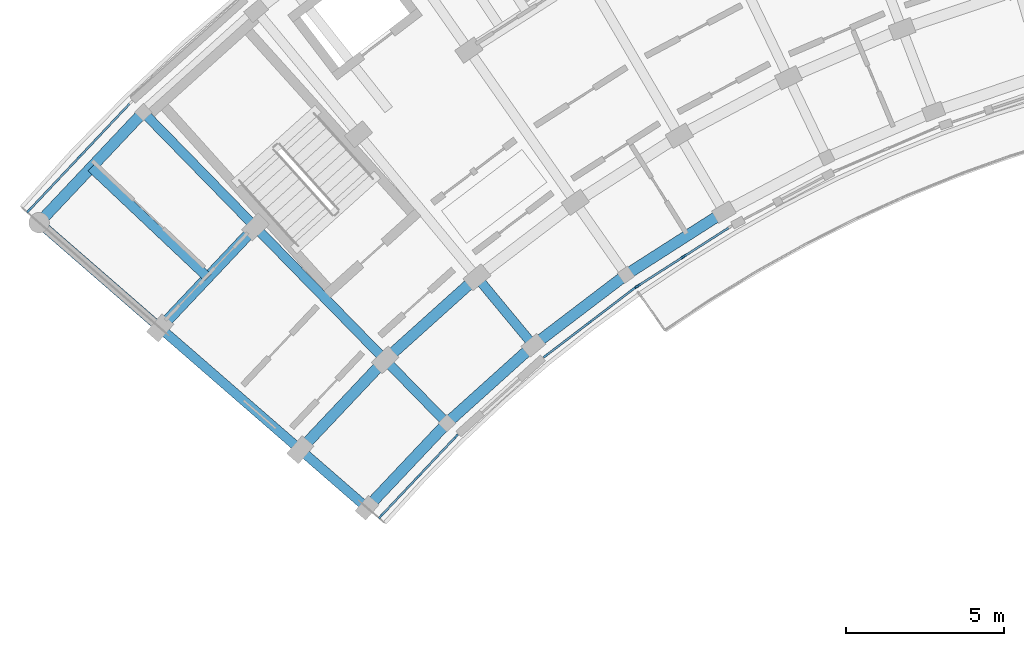
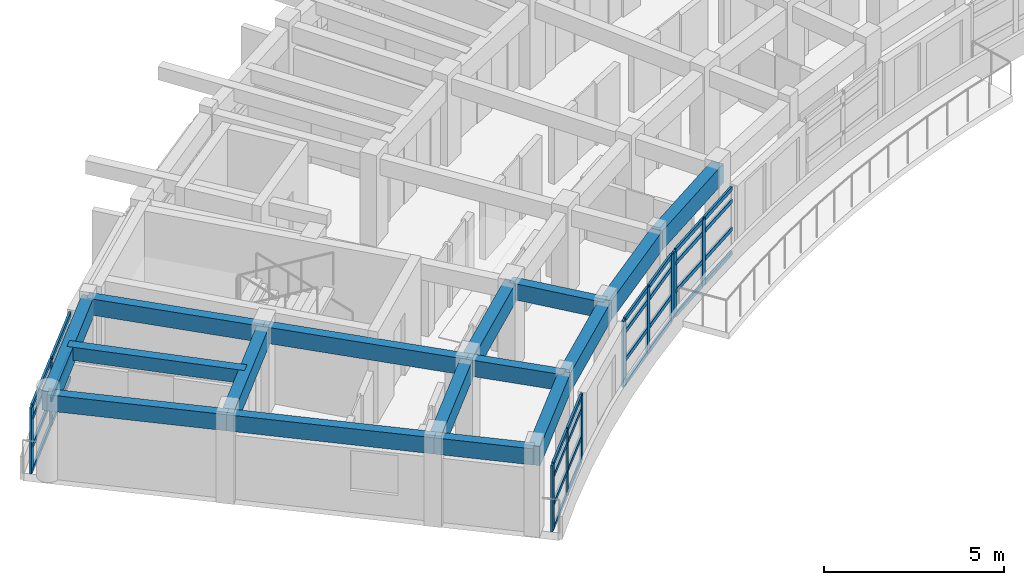
# One storey, part 2 of 38: 42 members, 16 beams, 4 elements without a shape of their own.
"""IFC4 building model written with IfcOpenShell, lengths in metres."""

from ifc_helpers import new_model, si_unit, direction, frame, origin, origin_2d, place, context, subcontext, project, spatial, rectangle, extrude, material, material_profile, profile_set, type_object, element, aggregate, save


model = new_model("IFC4")

# Units and contexts
model_context = context("Model", 3, precision=1e-05, world=origin(), true_north=direction((0.0, 1.0)))
body_context = subcontext(model_context, "Body", "Model", "MODEL_VIEW")
ifc_project = project(units=[si_unit("LENGTHUNIT", "METRE"), si_unit("AREAUNIT", "SQUARE_METRE"), si_unit("VOLUMEUNIT", "CUBIC_METRE"), si_unit("PLANEANGLEUNIT", "RADIAN"), si_unit("MASSUNIT", "GRAM", prefix="KILO")], contexts=[model_context])

# Site, building, storey
site_placement = place(None, origin())
site = spatial("IfcSite", under=ifc_project, at=site_placement, CompositionType="ELEMENT")
building_placement = place(site_placement, origin())
building = spatial("IfcBuilding", under=site, at=building_placement, Name="Zimvara Arc Housing Community", CompositionType="ELEMENT")
storey_placement = place(building_placement, frame((0.0, 0.0, 29.800048828125)))
storey = spatial("IfcBuildingStorey", under=building, at=storey_placement, Name="L09", CompositionType="ELEMENT", Elevation=29.800048828125)

# Beams
ifc_material_1 = material(Name="Concrete C40/50", Category="concrete")
ifc_material_profile_1 = material_profile(ifc_material_1, rectangle(XDim=0.300048828125, YDim=0.449951171875, at=origin_2d()), Name="RC 300x450")
ifc_profile_set_1 = profile_set([ifc_material_profile_1], Name="Concrete C40/50")
beam_type_1 = type_object("IfcBeamType", Name="BM-RC-300x450", PredefinedType="JOIST", material=ifc_profile_set_1)
beam_1_placement = place(storey_placement, frame((5.904296875, 81.3935546875, 2.635009765625), z_axis=(-0.727299876429, 0.686319815936, 0.0), x_axis=(-0.686319815936, -0.727299876429, 0.0)))
element("IfcBeam", 1, at=beam_1_placement, inside=storey, type_object=beam_type_1, Name="bm:blkA:L09:joist:b0", PredefinedType="JOIST", context=body_context, shape_type="SweptSolid", body=[
    extrude(rectangle(XDim=0.300048828125, YDim=0.449951171875, at=origin_2d()), origin(), (0.0, 0.0, 1.0), 5.075927734375),
])
ifc_material_2 = material(Name="Concrete C40/50", Category="concrete")
ifc_material_profile_2 = material_profile(ifc_material_2, rectangle(XDim=0.300048828125, YDim=0.550048828125, at=origin_2d()), Name="RC 300x550")
ifc_profile_set_2 = profile_set([ifc_material_profile_2], Name="Concrete C40/50")
beam_type_2 = type_object("IfcBeamType", Name="BM-RC-300x550", PredefinedType="BEAM", material=ifc_profile_set_2)
beam_2_placement = place(storey_placement, frame((10.947509765625, 74.101318359375, 2.5849609375), z_axis=(-0.754733151583, 0.656031912259, 0.0), x_axis=(-0.656031912259, -0.754733151583, 0.0)))
element("IfcBeam", 2, at=beam_2_placement, inside=storey, type_object=beam_type_2, Name="bm:blkA:L09:rad:b0:r01", PredefinedType="BEAM", context=body_context, shape_type="SweptSolid", body=[
    extrude(rectangle(XDim=0.300048828125, YDim=0.550048828125, at=origin_2d()), origin(), (0.0, 0.0, 1.0), 2.800048828125),
])
beam_3_placement = place(storey_placement, frame((8.834228515625, 75.938232421875, 2.5849609375), z_axis=(-0.754692223258, 0.656078995362, 0.0), x_axis=(-0.656078995362, -0.754692223258, 0.0)))
element("IfcBeam", 3, at=beam_3_placement, inside=storey, type_object=beam_type_2, Name="bm:blkA:L09:rad:b0:r12", PredefinedType="BEAM", context=body_context, shape_type="SweptSolid", body=[
    extrude(rectangle(XDim=0.300048828125, YDim=0.550048828125, at=origin_2d()), origin(), (0.0, 0.0, 1.0), 5.8798828125),
])
beam_4_placement = place(storey_placement, frame((4.396728515625, 79.7958984375, 2.5849609375), z_axis=(-0.754716217499, 0.656051393599, 0.0), x_axis=(-0.656051393599, -0.754716217499, 0.0)))
element("IfcBeam", 4, at=beam_4_placement, inside=storey, type_object=beam_type_2, Name="bm:blkA:L09:rad:b0:r23", PredefinedType="BEAM", context=body_context, shape_type="SweptSolid", body=[
    extrude(rectangle(XDim=0.300048828125, YDim=0.550048828125, at=origin_2d()), origin(), (0.0, 0.0, 1.0), 5.080078125),
])
beam_5_placement = place(storey_placement, frame((13.476318359375, 76.781005859375, 2.5849609375), z_axis=(-0.698643013894, 0.71547043205, 0.0), x_axis=(-0.71547043205, -0.698643013894, 0.0)))
element("IfcBeam", 5, at=beam_5_placement, inside=storey, type_object=beam_type_2, Name="bm:blkA:L09:rad:b1:r01", PredefinedType="BEAM", context=body_context, shape_type="SweptSolid", body=[
    extrude(rectangle(XDim=0.300048828125, YDim=0.550048828125, at=origin_2d()), origin(), (0.0, 0.0, 1.0), 2.800048828125),
])
beam_6_placement = place(storey_placement, frame((11.52001953125, 78.784423828125, 2.5849609375), z_axis=(-0.698669844288, 0.715444231707, 0.0), x_axis=(-0.715444231707, -0.698669844288, 0.0)))
element("IfcBeam", 6, at=beam_6_placement, inside=storey, type_object=beam_type_2, Name="bm:blkA:L09:rad:b1:r12", PredefinedType="BEAM", context=body_context, shape_type="SweptSolid", body=[
    extrude(rectangle(XDim=0.300048828125, YDim=0.550048828125, at=origin_2d()), origin(), (0.0, 0.0, 1.0), 5.8798828125),
])
beam_7_placement = place(storey_placement, frame((7.411865234375, 82.9912109375, 2.5849609375), z_axis=(-0.698670885014, 0.71544321538, 0.0), x_axis=(-0.71544321538, -0.698670885014, 0.0)))
element("IfcBeam", 7, at=beam_7_placement, inside=storey, type_object=beam_type_2, Name="bm:blkA:L09:rad:b1:r23", PredefinedType="BEAM", context=body_context, shape_type="SweptSolid", body=[
    extrude(rectangle(XDim=0.300048828125, YDim=0.550048828125, at=origin_2d()), origin(), (0.0, 0.0, 1.0), 5.080078125),
])
beam_8_placement = place(storey_placement, frame((16.215087890625, 79.245361328125, 2.5849609375), z_axis=(-0.637917412223, 0.770104781951, 0.0), x_axis=(-0.770104781951, -0.637917412223, 0.0)))
element("IfcBeam", 8, at=beam_8_placement, inside=storey, type_object=beam_type_2, Name="bm:blkA:L09:rad:b2:r01", PredefinedType="BEAM", context=body_context, shape_type="SweptSolid", body=[
    extrude(rectangle(XDim=0.300048828125, YDim=0.550048828125, at=origin_2d()), origin(), (0.0, 0.0, 1.0), 2.800048828125),
])
ifc_material_3 = material(Name="Concrete C40/50", Category="concrete")
ifc_material_profile_3 = material_profile(ifc_material_3, rectangle(XDim=0.35009765625, YDim=0.64990234375, at=origin_2d()), Name="RC 350x650")
ifc_profile_set_3 = profile_set([ifc_material_profile_3], Name="Concrete C40/50")
beam_type_3 = type_object("IfcBeamType", Name="BM-RC-350x650", PredefinedType="BEAM", material=ifc_profile_set_3)
beam_9_placement = place(storey_placement, frame((10.947509765625, 74.101318359375, 2.534912109375), z_axis=(0.686335517678, 0.727285059088, 0.0), x_axis=(-0.727285059088, 0.686335517678, 0.0)))
element("IfcBeam", 9, at=beam_9_placement, inside=storey, type_object=beam_type_3, Name="bm:blkA:L09:chord:r0:b0", PredefinedType="BEAM", context=body_context, shape_type="SweptSolid", body=[
    extrude(rectangle(XDim=0.35009765625, YDim=0.64990234375, at=origin_2d()), origin(), (0.0, 0.0, 1.0), 3.6845703125),
])
beam_10_placement = place(storey_placement, frame((13.476318359375, 76.781005859375, 2.534912109375), z_axis=(0.743366631239, 0.668884183966, 0.0), x_axis=(-0.668884183966, 0.743366631239, 0.0)))
element("IfcBeam", 10, at=beam_10_placement, inside=storey, type_object=beam_type_3, Name="bm:blkA:L09:chord:r0:b1", PredefinedType="BEAM", context=body_context, shape_type="SweptSolid", body=[
    extrude(rectangle(XDim=0.35009765625, YDim=0.64990234375, at=origin_2d()), origin(), (0.0, 0.0, 1.0), 3.684326171875),
])
beam_11_placement = place(storey_placement, frame((16.215087890625, 79.245361328125, 2.534912109375), z_axis=(0.795453014049, 0.606015265847, 0.0), x_axis=(-0.606015265847, 0.795453014049, 0.0)))
element("IfcBeam", 11, at=beam_11_placement, inside=storey, type_object=beam_type_3, Name="bm:blkA:L09:chord:r0:b2", PredefinedType="BEAM", context=body_context, shape_type="SweptSolid", body=[
    extrude(rectangle(XDim=0.35009765625, YDim=0.64990234375, at=origin_2d()), origin(), (0.0, 0.0, 1.0), 3.6845703125),
])
beam_12_placement = place(storey_placement, frame((19.14599609375, 81.478271484375, 2.534912109375), z_axis=(0.842272604079, 0.539051816079, 0.0), x_axis=(-0.539051816079, 0.842272604079, 0.0)))
element("IfcBeam", 12, at=beam_12_placement, inside=storey, type_object=beam_type_3, Name="bm:blkA:L09:chord:r0:b3", PredefinedType="BEAM", context=body_context, shape_type="SweptSolid", body=[
    extrude(rectangle(XDim=0.35009765625, YDim=0.64990234375, at=origin_2d()), origin(), (0.0, 0.0, 1.0), 3.684326171875),
])
beam_13_placement = place(storey_placement, frame((8.834228515625, 75.938232421875, 2.534912109375), z_axis=(0.686315710793, 0.727303750243, 0.0), x_axis=(-0.727303750243, 0.686315710793, 0.0)))
element("IfcBeam", 13, at=beam_13_placement, inside=storey, type_object=beam_type_3, Name="bm:blkA:L09:chord:r1:b0", PredefinedType="BEAM", context=body_context, shape_type="SweptSolid", body=[
    extrude(rectangle(XDim=0.35009765625, YDim=0.64990234375, at=origin_2d()), origin(), (0.0, 0.0, 1.0), 3.913330078125),
])
beam_14_placement = place(storey_placement, frame((11.52001953125, 78.784423828125, 2.534912109375), z_axis=(0.743402719516, 0.668844074965, 0.0), x_axis=(-0.668844074965, 0.743402719516, 0.0)))
element("IfcBeam", 14, at=beam_14_placement, inside=storey, type_object=beam_type_3, Name="bm:blkA:L09:chord:r1:b1", PredefinedType="BEAM", context=body_context, shape_type="SweptSolid", body=[
    extrude(rectangle(XDim=0.35009765625, YDim=0.64990234375, at=origin_2d()), origin(), (0.0, 0.0, 1.0), 3.9130859375),
])
beam_15_placement = place(storey_placement, frame((4.396728515625, 79.7958984375, 2.534912109375), z_axis=(0.686303637813, 0.727315142648, 0.0), x_axis=(-0.727315142648, 0.686303637813, 0.0)))
element("IfcBeam", 15, at=beam_15_placement, inside=storey, type_object=beam_type_3, Name="bm:blkA:L09:chord:r2:b0", PredefinedType="BEAM", context=body_context, shape_type="SweptSolid", body=[
    extrude(rectangle(XDim=0.35009765625, YDim=0.64990234375, at=origin_2d()), origin(), (0.0, 0.0, 1.0), 4.393310546875),
])
beam_16_placement = place(storey_placement, frame((0.562744140625, 83.128662109375, 2.534912109375), z_axis=(0.6862954451, 0.727322873307, 0.0), x_axis=(-0.727322873307, 0.6862954451, 0.0)))
element("IfcBeam", 16, at=beam_16_placement, inside=storey, type_object=beam_type_3, Name="bm:blkA:L09:chord:r3:b0", PredefinedType="BEAM", context=body_context, shape_type="SweptSolid", body=[
    extrude(rectangle(XDim=0.35009765625, YDim=0.64990234375, at=origin_2d()), origin(), (0.0, 0.0, 1.0), 4.80810546875),
])

# Curtain wall, members
ifc_material_4 = material(Name="Anodised Aluminium AW-6063", Category="aluminium")
curtain_wall_type_1 = type_object("IfcCurtainWallType", Name="CW-SYS-04", PredefinedType="USERDEFINED", material=ifc_material_4)
curtain_wall_1_placement = place(storey_placement, origin())
curtain_wall_1 = element("IfcCurtainWall", 17, at=curtain_wall_1_placement, inside=storey, type_object=curtain_wall_type_1, Name="cw:blkA:L09:in:b0", ObjectType="CURTAIN WALL", PredefinedType="USERDEFINED")
ifc_material_5 = material(Name="Anodised Aluminium AW-6063", Category="aluminium")
ifc_material_profile_4 = material_profile(ifc_material_5, rectangle(XDim=0.06494140625, YDim=0.179931640625, at=origin_2d()), Name="ALU 65x180")
ifc_profile_set_4 = profile_set([ifc_material_profile_4], Name="Anodised Aluminium AW-6063")
member_type_1 = type_object("IfcMemberType", Name="CWM-65x150", PredefinedType="MULLION", material=ifc_profile_set_4)
member_1_placement = place(storey_placement, frame((11.388427734375, 73.840576171875, 0.0), z_axis=(0.0, 0.0, 1.0), x_axis=(-0.727293280483, 0.686326805658, 0.0)))
member_1 = element("IfcMember", 18, at=member_1_placement, type_object=member_type_1, Name="CW04 mullion 1", PredefinedType="MULLION", context=body_context, shape_type="SweptSolid", body=[
    extrude(rectangle(XDim=0.06494140625, YDim=0.179931640625, at=origin_2d()), origin(), (0.0, 0.0, 1.0), 2.25),
])
member_2_placement = place(storey_placement, frame((12.5751953125, 75.098388671875, 0.0), z_axis=(0.0, 0.0, 1.0), x_axis=(-0.727293280483, 0.686326805658, 0.0)))
member_2 = element("IfcMember", 19, at=member_2_placement, type_object=member_type_1, Name="CW04 mullion 2", PredefinedType="MULLION", context=body_context, shape_type="SweptSolid", body=[
    extrude(rectangle(XDim=0.06494140625, YDim=0.179931640625, at=origin_2d()), origin(), (0.0, 0.0, 1.0), 2.25),
])
member_3_placement = place(storey_placement, frame((13.761962890625, 76.35595703125, 0.0), z_axis=(0.0, 0.0, 1.0), x_axis=(-0.727293280483, 0.686326805658, 0.0)))
member_3 = element("IfcMember", 20, at=member_3_placement, type_object=member_type_1, Name="CW04 mullion 3", PredefinedType="MULLION", context=body_context, shape_type="SweptSolid", body=[
    extrude(rectangle(XDim=0.06494140625, YDim=0.179931640625, at=origin_2d()), origin(), (0.0, 0.0, 1.0), 2.25),
])

ifc_material_6 = material(Name="Anodised Aluminium AW-6063", Category="aluminium")
curtain_wall_type_2 = type_object("IfcCurtainWallType", Name="CW-SYS-06", PredefinedType="USERDEFINED", material=ifc_material_6)
curtain_wall_2_placement = place(storey_placement, origin())
curtain_wall_2 = element("IfcCurtainWall", 21, at=curtain_wall_2_placement, inside=storey, type_object=curtain_wall_type_2, Name="cw:blkA:L09:in:b2", ObjectType="CURTAIN WALL", PredefinedType="USERDEFINED")
member_4_placement = place(storey_placement, frame((16.607666015625, 78.91650390625, 0.0), z_axis=(0.0, 0.0, 1.0), x_axis=(-0.605988318533, 0.795473543119, 0.0)))
member_4 = element("IfcMember", 22, at=member_4_placement, type_object=member_type_1, Name="CW06 mullion 1", PredefinedType="MULLION", context=body_context, shape_type="SweptSolid", body=[
    extrude(rectangle(XDim=0.06494140625, YDim=0.179931640625, at=origin_2d()), origin(), (0.0, 0.0, 1.0), 2.25),
])
member_5_placement = place(storey_placement, frame((17.9833984375, 79.96435546875, 0.0), z_axis=(0.0, 0.0, 1.0), x_axis=(-0.605988318533, 0.795473543119, 0.0)))
member_5 = element("IfcMember", 23, at=member_5_placement, type_object=member_type_1, Name="CW06 mullion 2", PredefinedType="MULLION", context=body_context, shape_type="SweptSolid", body=[
    extrude(rectangle(XDim=0.06494140625, YDim=0.179931640625, at=origin_2d()), origin(), (0.0, 0.0, 1.0), 2.25),
])
member_6_placement = place(storey_placement, frame((19.35888671875, 81.012451171875, 0.0), z_axis=(0.0, 0.0, 1.0), x_axis=(-0.605988318533, 0.795473543119, 0.0)))
member_6 = element("IfcMember", 24, at=member_6_placement, type_object=member_type_1, Name="CW06 mullion 3", PredefinedType="MULLION", context=body_context, shape_type="SweptSolid", body=[
    extrude(rectangle(XDim=0.06494140625, YDim=0.179931640625, at=origin_2d()), origin(), (0.0, 0.0, 1.0), 2.25),
])

ifc_material_7 = material(Name="Anodised Aluminium AW-6063", Category="aluminium")
curtain_wall_type_3 = type_object("IfcCurtainWallType", Name="CW-SYS-08", PredefinedType="USERDEFINED", material=ifc_material_7)
curtain_wall_3_placement = place(storey_placement, origin())
curtain_wall_3 = element("IfcCurtainWall", 25, at=curtain_wall_3_placement, inside=storey, type_object=curtain_wall_type_3, Name="cw:blkA:L09:in:b3", ObjectType="CURTAIN WALL", PredefinedType="USERDEFINED")
member_7_placement = place(storey_placement, frame((19.510498046875, 81.118408203125, 0.0), z_axis=(0.0, 0.0, 1.0), x_axis=(-0.539064085203, 0.842264751752, 0.0)))
member_7 = element("IfcMember", 26, at=member_7_placement, type_object=member_type_1, Name="CW08 mullion 1", PredefinedType="MULLION", context=body_context, shape_type="SweptSolid", body=[
    extrude(rectangle(XDim=0.06494140625, YDim=0.179931640625, at=origin_2d()), origin(), (0.0, 0.0, 1.0), 2.25),
])
member_8_placement = place(storey_placement, frame((20.967041015625, 82.050537109375, 0.0), z_axis=(0.0, 0.0, 1.0), x_axis=(-0.539064085203, 0.842264751752, 0.0)))
member_8 = element("IfcMember", 27, at=member_8_placement, type_object=member_type_1, Name="CW08 mullion 2", PredefinedType="MULLION", context=body_context, shape_type="SweptSolid", body=[
    extrude(rectangle(XDim=0.06494140625, YDim=0.179931640625, at=origin_2d()), origin(), (0.0, 0.0, 1.0), 2.25),
])

ifc_material_8 = material(Name="Anodised Aluminium AW-6063", Category="aluminium")
curtain_wall_type_4 = type_object("IfcCurtainWallType", Name="CW-SYS-03", PredefinedType="USERDEFINED", material=ifc_material_8)
curtain_wall_4_placement = place(storey_placement, origin())
curtain_wall_4 = element("IfcCurtainWall", 28, at=curtain_wall_4_placement, inside=storey, type_object=curtain_wall_type_4, Name="cw:blkA:L09:out:b0", ObjectType="CURTAIN WALL", PredefinedType="USERDEFINED")
ifc_material_9 = material(Name="Anodised Aluminium AW-6063", Category="aluminium")
ifc_material_profile_5 = material_profile(ifc_material_9, rectangle(XDim=0.06494140625, YDim=0.195068359375, at=origin_2d()), Name="ALU 65x195")
ifc_profile_set_5 = profile_set([ifc_material_profile_5], Name="Anodised Aluminium AW-6063")
member_type_2 = type_object("IfcMemberType", Name="CWM-65x180", PredefinedType="MULLION", material=ifc_profile_set_5)
member_9_placement = place(storey_placement, frame((0.248779296875, 83.524169921875, 0.0), z_axis=(0.0, 0.0, 1.0), x_axis=(-0.727293647725, 0.686326416495, 0.0)))
member_9 = element("IfcMember", 29, at=member_9_placement, type_object=member_type_2, Name="CW03 mullion 1", PredefinedType="MULLION", context=body_context, shape_type="SweptSolid", body=[
    extrude(rectangle(XDim=0.06494140625, YDim=0.195068359375, at=origin_2d()), origin(), (0.0, 0.0, 1.0), 2.25),
])
member_10_placement = place(storey_placement, frame((1.849365234375, 85.219970703125, 0.0), z_axis=(0.0, 0.0, 1.0), x_axis=(-0.727293647725, 0.686326416495, 0.0)))
member_10 = element("IfcMember", 30, at=member_10_placement, type_object=member_type_2, Name="CW03 mullion 2", PredefinedType="MULLION", context=body_context, shape_type="SweptSolid", body=[
    extrude(rectangle(XDim=0.06494140625, YDim=0.195068359375, at=origin_2d()), origin(), (0.0, 0.0, 1.0), 2.25),
])

# Member
ifc_material_10 = material(Name="Anodised Aluminium AW-6063", Category="aluminium")
ifc_material_profile_6 = material_profile(ifc_material_10, rectangle(XDim=0.06494140625, YDim=0.139892578125, at=origin_2d()), Name="ALU 65x140")
ifc_profile_set_6 = profile_set([ifc_material_profile_6], Name="Anodised Aluminium AW-6063")
member_type_3 = type_object("IfcMemberType", Name="CWT-65x120", PredefinedType="USERDEFINED", material=ifc_profile_set_6)
member_11_placement = place(storey_placement, frame((11.41064453125, 73.8642578125, 0.032470703125), z_axis=(0.686347817597, 0.727273451516, 0.0), x_axis=(-0.727273451516, 0.686347817597, 0.0)))
member_11 = element("IfcMember", 31, at=member_11_placement, type_object=member_type_3, Name="CW04 transom 1.1", ObjectType="TRANSOM", PredefinedType="USERDEFINED", context=body_context, shape_type="SweptSolid", body=[
    extrude(rectangle(XDim=0.06494140625, YDim=0.139892578125, at=origin_2d()), origin(), (0.0, 0.0, 1.0), 1.664306640625),
])

member_12_placement = place(storey_placement, frame((11.41064453125, 73.8642578125, 0.849853515625), z_axis=(0.686347817597, 0.727273451516, 0.0), x_axis=(-0.727273451516, 0.686347817597, 0.0)))
member_12 = element("IfcMember", 32, at=member_12_placement, type_object=member_type_3, Name="CW04 transom 1.2", ObjectType="TRANSOM", PredefinedType="USERDEFINED", context=body_context, shape_type="SweptSolid", body=[
    extrude(rectangle(XDim=0.06494140625, YDim=0.139892578125, at=origin_2d()), origin(), (0.0, 0.0, 1.0), 1.664306640625),
])

member_13_placement = place(storey_placement, frame((11.41064453125, 73.8642578125, 1.800048828125), z_axis=(0.686347817597, 0.727273451516, 0.0), x_axis=(-0.727273451516, 0.686347817597, 0.0)))
member_13 = element("IfcMember", 33, at=member_13_placement, type_object=member_type_3, Name="CW04 transom 1.3", ObjectType="TRANSOM", PredefinedType="USERDEFINED", context=body_context, shape_type="SweptSolid", body=[
    extrude(rectangle(XDim=0.06494140625, YDim=0.139892578125, at=origin_2d()), origin(), (0.0, 0.0, 1.0), 1.664306640625),
])

member_14_placement = place(storey_placement, frame((11.41064453125, 73.8642578125, 2.217529296875), z_axis=(0.686347817597, 0.727273451516, 0.0), x_axis=(-0.727273451516, 0.686347817597, 0.0)))
member_14 = element("IfcMember", 34, at=member_14_placement, type_object=member_type_3, Name="CW04 transom 1.4", ObjectType="TRANSOM", PredefinedType="USERDEFINED", context=body_context, shape_type="SweptSolid", body=[
    extrude(rectangle(XDim=0.06494140625, YDim=0.139892578125, at=origin_2d()), origin(), (0.0, 0.0, 1.0), 1.664306640625),
])

member_15_placement = place(storey_placement, frame((12.597412109375, 75.1220703125, 0.032470703125), z_axis=(0.686347817597, 0.727273451516, 0.0), x_axis=(-0.727273451516, 0.686347817597, 0.0)))
member_15 = element("IfcMember", 35, at=member_15_placement, type_object=member_type_3, Name="CW04 transom 2.1", ObjectType="TRANSOM", PredefinedType="USERDEFINED", context=body_context, shape_type="SweptSolid", body=[
    extrude(rectangle(XDim=0.06494140625, YDim=0.139892578125, at=origin_2d()), origin(), (0.0, 0.0, 1.0), 1.664306640625),
])

member_16_placement = place(storey_placement, frame((12.597412109375, 75.1220703125, 0.849853515625), z_axis=(0.686347817597, 0.727273451516, 0.0), x_axis=(-0.727273451516, 0.686347817597, 0.0)))
member_16 = element("IfcMember", 36, at=member_16_placement, type_object=member_type_3, Name="CW04 transom 2.2", ObjectType="TRANSOM", PredefinedType="USERDEFINED", context=body_context, shape_type="SweptSolid", body=[
    extrude(rectangle(XDim=0.06494140625, YDim=0.139892578125, at=origin_2d()), origin(), (0.0, 0.0, 1.0), 1.664306640625),
])

member_17_placement = place(storey_placement, frame((12.597412109375, 75.1220703125, 1.800048828125), z_axis=(0.686347817597, 0.727273451516, 0.0), x_axis=(-0.727273451516, 0.686347817597, 0.0)))
member_17 = element("IfcMember", 37, at=member_17_placement, type_object=member_type_3, Name="CW04 transom 2.3", ObjectType="TRANSOM", PredefinedType="USERDEFINED", context=body_context, shape_type="SweptSolid", body=[
    extrude(rectangle(XDim=0.06494140625, YDim=0.139892578125, at=origin_2d()), origin(), (0.0, 0.0, 1.0), 1.664306640625),
])

member_18_placement = place(storey_placement, frame((12.597412109375, 75.1220703125, 2.217529296875), z_axis=(0.686347817597, 0.727273451516, 0.0), x_axis=(-0.727273451516, 0.686347817597, 0.0)))
member_18 = element("IfcMember", 38, at=member_18_placement, type_object=member_type_3, Name="CW04 transom 2.4", ObjectType="TRANSOM", PredefinedType="USERDEFINED", context=body_context, shape_type="SweptSolid", body=[
    extrude(rectangle(XDim=0.06494140625, YDim=0.139892578125, at=origin_2d()), origin(), (0.0, 0.0, 1.0), 1.664306640625),
])

aggregate(curtain_wall_1, [member_1, member_2, member_3, member_11, member_12, member_13, member_14, member_15, member_16, member_17, member_18])

member_19_placement = place(storey_placement, frame((16.633544921875, 78.936279296875, 0.032470703125), z_axis=(0.795488960577, 0.605968079687, 0.0), x_axis=(-0.605968079687, 0.795488960577, 0.0)))
member_19 = element("IfcMember", 39, at=member_19_placement, type_object=member_type_3, Name="CW06 transom 1.1", ObjectType="TRANSOM", PredefinedType="USERDEFINED", context=body_context, shape_type="SweptSolid", body=[
    extrude(rectangle(XDim=0.06494140625, YDim=0.139892578125, at=origin_2d()), origin(), (0.0, 0.0, 1.0), 1.664306640625),
])

member_20_placement = place(storey_placement, frame((16.633544921875, 78.936279296875, 0.849853515625), z_axis=(0.795488960577, 0.605968079687, 0.0), x_axis=(-0.605968079687, 0.795488960577, 0.0)))
member_20 = element("IfcMember", 40, at=member_20_placement, type_object=member_type_3, Name="CW06 transom 1.2", ObjectType="TRANSOM", PredefinedType="USERDEFINED", context=body_context, shape_type="SweptSolid", body=[
    extrude(rectangle(XDim=0.06494140625, YDim=0.139892578125, at=origin_2d()), origin(), (0.0, 0.0, 1.0), 1.664306640625),
])

member_21_placement = place(storey_placement, frame((16.633544921875, 78.936279296875, 1.800048828125), z_axis=(0.795488960577, 0.605968079687, 0.0), x_axis=(-0.605968079687, 0.795488960577, 0.0)))
member_21 = element("IfcMember", 41, at=member_21_placement, type_object=member_type_3, Name="CW06 transom 1.3", ObjectType="TRANSOM", PredefinedType="USERDEFINED", context=body_context, shape_type="SweptSolid", body=[
    extrude(rectangle(XDim=0.06494140625, YDim=0.139892578125, at=origin_2d()), origin(), (0.0, 0.0, 1.0), 1.664306640625),
])

member_22_placement = place(storey_placement, frame((16.633544921875, 78.936279296875, 2.217529296875), z_axis=(0.795488960577, 0.605968079687, 0.0), x_axis=(-0.605968079687, 0.795488960577, 0.0)))
member_22 = element("IfcMember", 42, at=member_22_placement, type_object=member_type_3, Name="CW06 transom 1.4", ObjectType="TRANSOM", PredefinedType="USERDEFINED", context=body_context, shape_type="SweptSolid", body=[
    extrude(rectangle(XDim=0.06494140625, YDim=0.139892578125, at=origin_2d()), origin(), (0.0, 0.0, 1.0), 1.664306640625),
])

member_23_placement = place(storey_placement, frame((18.00927734375, 79.984130859375, 0.032470703125), z_axis=(0.795435087713, 0.606038795157, 0.0), x_axis=(-0.606038795157, 0.795435087713, 0.0)))
member_23 = element("IfcMember", 43, at=member_23_placement, type_object=member_type_3, Name="CW06 transom 2.1", ObjectType="TRANSOM", PredefinedType="USERDEFINED", context=body_context, shape_type="SweptSolid", body=[
    extrude(rectangle(XDim=0.06494140625, YDim=0.139892578125, at=origin_2d()), origin(), (0.0, 0.0, 1.0), 1.6640625),
])

member_24_placement = place(storey_placement, frame((18.00927734375, 79.984130859375, 0.849853515625), z_axis=(0.795435087713, 0.606038795157, 0.0), x_axis=(-0.606038795157, 0.795435087713, 0.0)))
member_24 = element("IfcMember", 44, at=member_24_placement, type_object=member_type_3, Name="CW06 transom 2.2", ObjectType="TRANSOM", PredefinedType="USERDEFINED", context=body_context, shape_type="SweptSolid", body=[
    extrude(rectangle(XDim=0.06494140625, YDim=0.139892578125, at=origin_2d()), origin(), (0.0, 0.0, 1.0), 1.6640625),
])

member_25_placement = place(storey_placement, frame((18.00927734375, 79.984130859375, 1.800048828125), z_axis=(0.795435087713, 0.606038795157, 0.0), x_axis=(-0.606038795157, 0.795435087713, 0.0)))
member_25 = element("IfcMember", 45, at=member_25_placement, type_object=member_type_3, Name="CW06 transom 2.3", ObjectType="TRANSOM", PredefinedType="USERDEFINED", context=body_context, shape_type="SweptSolid", body=[
    extrude(rectangle(XDim=0.06494140625, YDim=0.139892578125, at=origin_2d()), origin(), (0.0, 0.0, 1.0), 1.6640625),
])

member_26_placement = place(storey_placement, frame((18.00927734375, 79.984130859375, 2.217529296875), z_axis=(0.795435087713, 0.606038795157, 0.0), x_axis=(-0.606038795157, 0.795435087713, 0.0)))
member_26 = element("IfcMember", 46, at=member_26_placement, type_object=member_type_3, Name="CW06 transom 2.4", ObjectType="TRANSOM", PredefinedType="USERDEFINED", context=body_context, shape_type="SweptSolid", body=[
    extrude(rectangle(XDim=0.06494140625, YDim=0.139892578125, at=origin_2d()), origin(), (0.0, 0.0, 1.0), 1.6640625),
])

aggregate(curtain_wall_2, [member_4, member_5, member_6, member_19, member_20, member_21, member_22, member_23, member_24, member_25, member_26])

member_27_placement = place(storey_placement, frame((19.537841796875, 81.1357421875, 0.032470703125), z_axis=(0.842263408668, 0.539066183709, 0.0), x_axis=(-0.539066183709, 0.842263408668, 0.0)))
member_27 = element("IfcMember", 47, at=member_27_placement, type_object=member_type_3, Name="CW08 transom 1.1", ObjectType="TRANSOM", PredefinedType="USERDEFINED", context=body_context, shape_type="SweptSolid", body=[
    extrude(rectangle(XDim=0.06494140625, YDim=0.139892578125, at=origin_2d()), origin(), (0.0, 0.0, 1.0), 1.664306640625),
])

member_28_placement = place(storey_placement, frame((19.537841796875, 81.1357421875, 0.849853515625), z_axis=(0.842263408668, 0.539066183709, 0.0), x_axis=(-0.539066183709, 0.842263408668, 0.0)))
member_28 = element("IfcMember", 48, at=member_28_placement, type_object=member_type_3, Name="CW08 transom 1.2", ObjectType="TRANSOM", PredefinedType="USERDEFINED", context=body_context, shape_type="SweptSolid", body=[
    extrude(rectangle(XDim=0.06494140625, YDim=0.139892578125, at=origin_2d()), origin(), (0.0, 0.0, 1.0), 1.664306640625),
])

member_29_placement = place(storey_placement, frame((19.537841796875, 81.1357421875, 1.800048828125), z_axis=(0.842263408668, 0.539066183709, 0.0), x_axis=(-0.539066183709, 0.842263408668, 0.0)))
member_29 = element("IfcMember", 49, at=member_29_placement, type_object=member_type_3, Name="CW08 transom 1.3", ObjectType="TRANSOM", PredefinedType="USERDEFINED", context=body_context, shape_type="SweptSolid", body=[
    extrude(rectangle(XDim=0.06494140625, YDim=0.139892578125, at=origin_2d()), origin(), (0.0, 0.0, 1.0), 1.664306640625),
])

member_30_placement = place(storey_placement, frame((19.537841796875, 81.1357421875, 2.217529296875), z_axis=(0.842263408668, 0.539066183709, 0.0), x_axis=(-0.539066183709, 0.842263408668, 0.0)))
member_30 = element("IfcMember", 50, at=member_30_placement, type_object=member_type_3, Name="CW08 transom 1.4", ObjectType="TRANSOM", PredefinedType="USERDEFINED", context=body_context, shape_type="SweptSolid", body=[
    extrude(rectangle(XDim=0.06494140625, YDim=0.139892578125, at=origin_2d()), origin(), (0.0, 0.0, 1.0), 1.664306640625),
])

member_31_placement = place(storey_placement, frame((20.994384765625, 82.068115234375, 0.032470703125), z_axis=(0.842330007588, 0.538962112135, 0.0), x_axis=(-0.538962112135, 0.842330007588, 0.0)))
member_31 = element("IfcMember", 51, at=member_31_placement, type_object=member_type_3, Name="CW08 transom 2.1", ObjectType="TRANSOM", PredefinedType="USERDEFINED", context=body_context, shape_type="SweptSolid", body=[
    extrude(rectangle(XDim=0.06494140625, YDim=0.139892578125, at=origin_2d()), origin(), (0.0, 0.0, 1.0), 1.664306640625),
])

member_32_placement = place(storey_placement, frame((20.994384765625, 82.068115234375, 0.849853515625), z_axis=(0.842330007588, 0.538962112135, 0.0), x_axis=(-0.538962112135, 0.842330007588, 0.0)))
member_32 = element("IfcMember", 52, at=member_32_placement, type_object=member_type_3, Name="CW08 transom 2.2", ObjectType="TRANSOM", PredefinedType="USERDEFINED", context=body_context, shape_type="SweptSolid", body=[
    extrude(rectangle(XDim=0.06494140625, YDim=0.139892578125, at=origin_2d()), origin(), (0.0, 0.0, 1.0), 1.664306640625),
])

member_33_placement = place(storey_placement, frame((20.994384765625, 82.068115234375, 1.800048828125), z_axis=(0.842330007588, 0.538962112135, 0.0), x_axis=(-0.538962112135, 0.842330007588, 0.0)))
member_33 = element("IfcMember", 53, at=member_33_placement, type_object=member_type_3, Name="CW08 transom 2.3", ObjectType="TRANSOM", PredefinedType="USERDEFINED", context=body_context, shape_type="SweptSolid", body=[
    extrude(rectangle(XDim=0.06494140625, YDim=0.139892578125, at=origin_2d()), origin(), (0.0, 0.0, 1.0), 1.664306640625),
])

member_34_placement = place(storey_placement, frame((20.994384765625, 82.068115234375, 2.217529296875), z_axis=(0.842330007588, 0.538962112135, 0.0), x_axis=(-0.538962112135, 0.842330007588, 0.0)))
member_34 = element("IfcMember", 54, at=member_34_placement, type_object=member_type_3, Name="CW08 transom 2.4", ObjectType="TRANSOM", PredefinedType="USERDEFINED", context=body_context, shape_type="SweptSolid", body=[
    extrude(rectangle(XDim=0.06494140625, YDim=0.139892578125, at=origin_2d()), origin(), (0.0, 0.0, 1.0), 1.664306640625),
])

aggregate(curtain_wall_3, [member_7, member_8, member_27, member_28, member_29, member_30, member_31, member_32, member_33, member_34])

ifc_material_11 = material(Name="Anodised Aluminium AW-6063", Category="aluminium")
ifc_material_profile_7 = material_profile(ifc_material_11, rectangle(XDim=0.06494140625, YDim=0.155029296875, at=origin_2d()), Name="ALU 65x155")
ifc_profile_set_7 = profile_set([ifc_material_profile_7], Name="Anodised Aluminium AW-6063")
member_type_4 = type_object("IfcMemberType", Name="CWT-65x140", PredefinedType="USERDEFINED", material=ifc_profile_set_7)
member_35_placement = place(storey_placement, frame((0.271240234375, 83.547607421875, 0.032470703125), z_axis=(0.68623762882, 0.727377423894, 0.0), x_axis=(-0.727377423894, 0.68623762882, 0.0)))
member_35 = element("IfcMember", 55, at=member_35_placement, type_object=member_type_4, Name="CW03 transom 1.1", ObjectType="TRANSOM", PredefinedType="USERDEFINED", context=body_context, shape_type="SweptSolid", body=[
    extrude(rectangle(XDim=0.06494140625, YDim=0.155029296875, at=origin_2d()), origin(), (0.0, 0.0, 1.0), 2.266845703125),
])

member_36_placement = place(storey_placement, frame((0.271240234375, 83.547607421875, 0.849853515625), z_axis=(0.68623762882, 0.727377423894, 0.0), x_axis=(-0.727377423894, 0.68623762882, 0.0)))
member_36 = element("IfcMember", 56, at=member_36_placement, type_object=member_type_4, Name="CW03 transom 1.2", ObjectType="TRANSOM", PredefinedType="USERDEFINED", context=body_context, shape_type="SweptSolid", body=[
    extrude(rectangle(XDim=0.06494140625, YDim=0.155029296875, at=origin_2d()), origin(), (0.0, 0.0, 1.0), 2.266845703125),
])

member_37_placement = place(storey_placement, frame((0.271240234375, 83.547607421875, 1.800048828125), z_axis=(0.68623762882, 0.727377423894, 0.0), x_axis=(-0.727377423894, 0.68623762882, 0.0)))
member_37 = element("IfcMember", 57, at=member_37_placement, type_object=member_type_4, Name="CW03 transom 1.3", ObjectType="TRANSOM", PredefinedType="USERDEFINED", context=body_context, shape_type="SweptSolid", body=[
    extrude(rectangle(XDim=0.06494140625, YDim=0.155029296875, at=origin_2d()), origin(), (0.0, 0.0, 1.0), 2.266845703125),
])

member_38_placement = place(storey_placement, frame((0.271240234375, 83.547607421875, 2.217529296875), z_axis=(0.68623762882, 0.727377423894, 0.0), x_axis=(-0.727377423894, 0.68623762882, 0.0)))
member_38 = element("IfcMember", 58, at=member_38_placement, type_object=member_type_4, Name="CW03 transom 1.4", ObjectType="TRANSOM", PredefinedType="USERDEFINED", context=body_context, shape_type="SweptSolid", body=[
    extrude(rectangle(XDim=0.06494140625, YDim=0.155029296875, at=origin_2d()), origin(), (0.0, 0.0, 1.0), 2.266845703125),
])

member_39_placement = place(storey_placement, frame((1.87158203125, 85.24365234375, 0.032470703125), z_axis=(0.686348357589, 0.727272941911, 0.0), x_axis=(-0.727272941911, 0.686348357589, 0.0)))
member_39 = element("IfcMember", 59, at=member_39_placement, type_object=member_type_4, Name="CW03 transom 2.1", ObjectType="TRANSOM", PredefinedType="USERDEFINED", context=body_context, shape_type="SweptSolid", body=[
    extrude(rectangle(XDim=0.06494140625, YDim=0.155029296875, at=origin_2d()), origin(), (0.0, 0.0, 1.0), 2.266845703125),
])

member_40_placement = place(storey_placement, frame((1.87158203125, 85.24365234375, 0.849853515625), z_axis=(0.686348357589, 0.727272941911, 0.0), x_axis=(-0.727272941911, 0.686348357589, 0.0)))
member_40 = element("IfcMember", 60, at=member_40_placement, type_object=member_type_4, Name="CW03 transom 2.2", ObjectType="TRANSOM", PredefinedType="USERDEFINED", context=body_context, shape_type="SweptSolid", body=[
    extrude(rectangle(XDim=0.06494140625, YDim=0.155029296875, at=origin_2d()), origin(), (0.0, 0.0, 1.0), 2.266845703125),
])

member_41_placement = place(storey_placement, frame((1.87158203125, 85.24365234375, 1.800048828125), z_axis=(0.686348357589, 0.727272941911, 0.0), x_axis=(-0.727272941911, 0.686348357589, 0.0)))
member_41 = element("IfcMember", 61, at=member_41_placement, type_object=member_type_4, Name="CW03 transom 2.3", ObjectType="TRANSOM", PredefinedType="USERDEFINED", context=body_context, shape_type="SweptSolid", body=[
    extrude(rectangle(XDim=0.06494140625, YDim=0.155029296875, at=origin_2d()), origin(), (0.0, 0.0, 1.0), 2.266845703125),
])

member_42_placement = place(storey_placement, frame((1.87158203125, 85.24365234375, 2.217529296875), z_axis=(0.686348357589, 0.727272941911, 0.0), x_axis=(-0.727272941911, 0.686348357589, 0.0)))
member_42 = element("IfcMember", 62, at=member_42_placement, type_object=member_type_4, Name="CW03 transom 2.4", ObjectType="TRANSOM", PredefinedType="USERDEFINED", context=body_context, shape_type="SweptSolid", body=[
    extrude(rectangle(XDim=0.06494140625, YDim=0.155029296875, at=origin_2d()), origin(), (0.0, 0.0, 1.0), 2.266845703125),
])

aggregate(curtain_wall_4, [member_9, member_10, member_35, member_36, member_37, member_38, member_39, member_40, member_41, member_42])

save(model, "model.ifc")
